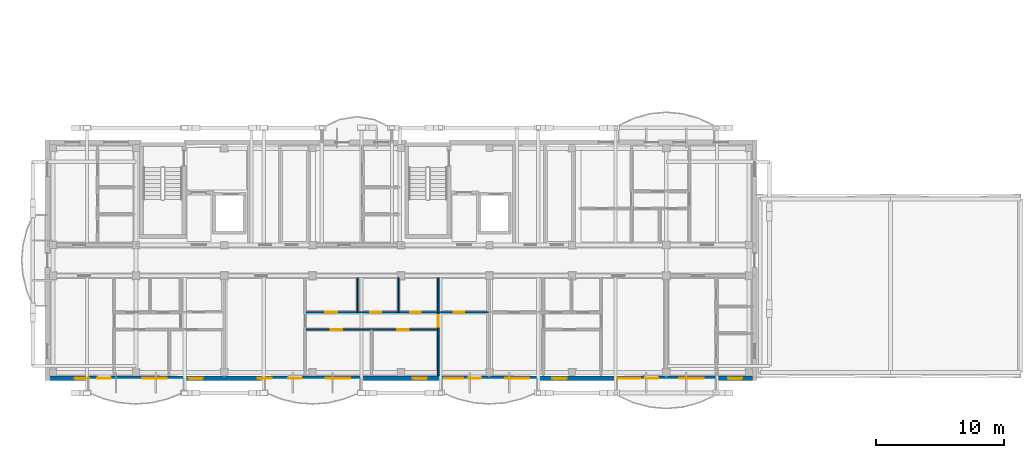
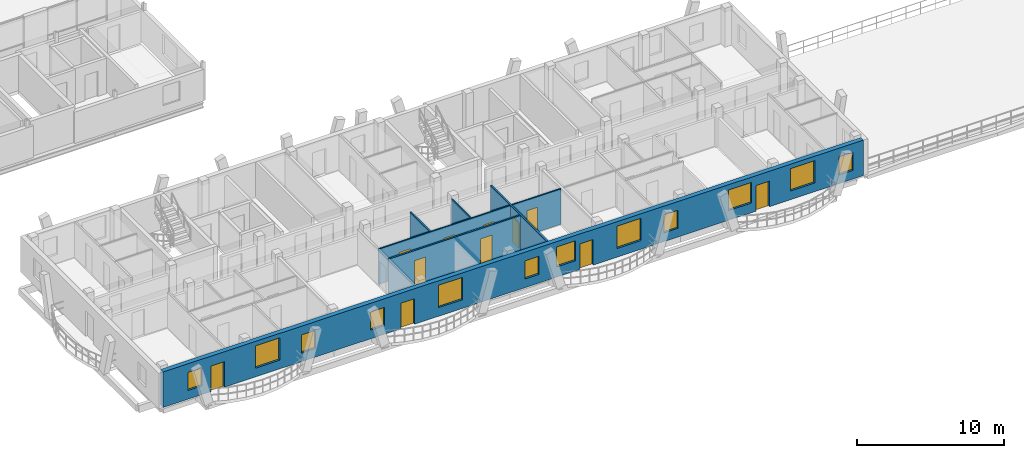
# One storey, part 65 of 109: 12 windows, 11 doors, 6 walls, 23 openings.
"""IFC4 building model written with IfcOpenShell, lengths in metres."""

from ifc_helpers import new_model, si_unit, direction, frame, frame_2d, origin, origin_with_axes, place, context, subcontext, project, spatial, rectangle, extrude, material, layer, layer_set, type_object, element, fill, save


model = new_model("IFC4")

# Units and contexts
model_context = context("Model", 3, precision=1e-05, world=origin(), true_north=direction((0.0, 1.0)))
body_context = subcontext(model_context, "Body", "Model", "MODEL_VIEW")
ifc_project = project(units=[si_unit("LENGTHUNIT", "METRE"), si_unit("AREAUNIT", "SQUARE_METRE"), si_unit("VOLUMEUNIT", "CUBIC_METRE"), si_unit("PLANEANGLEUNIT", "RADIAN"), si_unit("MASSUNIT", "GRAM", prefix="KILO")], contexts=[model_context])

# Site, building, storey
site_placement = place(None, origin())
site = spatial("IfcSite", under=ifc_project, at=site_placement, CompositionType="ELEMENT")
building_placement = place(site_placement, origin())
building = spatial("IfcBuilding", under=site, at=building_placement, Name="Zavelmont Quarter", CompositionType="ELEMENT")
storey_placement = place(building_placement, frame((0.0, 0.0, 8.0)))
storey = spatial("IfcBuildingStorey", under=building, at=storey_placement, Name="L02", CompositionType="ELEMENT", Elevation=8.0)

# Wall, openings, doors, windows
ifc_material_1 = material(Name="Natural Belgian limestone", Category="masonry")
ifc_layer_1 = layer(ifc_material_1, 0.360107421875)
ifc_layer_set_1 = layer_set([ifc_layer_1], Name="Natural Belgian limestone")
wall_type_1 = type_object("IfcWallType", Name="EW02", PredefinedType="STANDARD", material=ifc_layer_set_1)
wall_1_placement = place(storey_placement, frame((0.169921875, 0.0, 0.0), z_axis=(0.0, 0.0, 1.0), x_axis=(1.0, 0.0, 0.0)))
wall_1 = element("IfcWall", 1, at=wall_1_placement, inside=storey, type_object=wall_type_1, Name="L02 exterior limestone wall EW02", PredefinedType="STANDARD", context=body_context, shape_type="SweptSolid", body=[
    extrude(rectangle(XDim=54.860107421875, YDim=0.360107421875, at=frame_2d((27.43017578125, 0.0))), origin(), (0.0, 0.0, 1.0), 2.93994140625),
])
opening_1_placement = place(wall_1_placement, frame((3.73583984375, 0.0, 0.0)))
opening_1 = element("IfcOpeningElement", 2, at=opening_1_placement, cuts=wall_1, Name="Opening DR04A", PredefinedType="OPENING", context=body_context, shape_type="SweptSolid", body=[
    extrude(rectangle(XDim=1.050048828125, YDim=2.1201171875, at=frame_2d((0.52490234375, 1.06005859375))), frame((0.0, 0.19189453125, 0.0), z_axis=(0.0, -1.0, 0.0), x_axis=(1.0, 0.0, 0.0)), (0.0, 0.0, 1.0), 0.384033203125),
])
opening_2_placement = place(wall_1_placement, frame((18.6357421875, 0.0, 0.0)))
opening_2 = element("IfcOpeningElement", 3, at=opening_2_placement, cuts=wall_1, Name="Opening DR04A", PredefinedType="OPENING", context=body_context, shape_type="SweptSolid", body=[
    extrude(rectangle(XDim=1.050048828125, YDim=2.1201171875, at=frame_2d((0.52490234375, 1.06005859375))), frame((0.0, 0.19189453125, 0.0), z_axis=(0.0, -1.0, 0.0), x_axis=(1.0, 0.0, 0.0)), (0.0, 0.0, 1.0), 0.384033203125),
])
opening_3_placement = place(wall_1_placement, frame((32.6357421875, 0.0, 0.0)))
opening_3 = element("IfcOpeningElement", 4, at=opening_3_placement, cuts=wall_1, Name="Opening DR04A", PredefinedType="OPENING", context=body_context, shape_type="SweptSolid", body=[
    extrude(rectangle(XDim=1.050048828125, YDim=2.1201171875, at=frame_2d((0.52490234375, 1.06005859375))), frame((0.0, 0.19189453125, 0.0), z_axis=(0.0, -1.0, 0.0), x_axis=(1.0, 0.0, 0.0)), (0.0, 0.0, 1.0), 0.384033203125),
])
opening_4_placement = place(wall_1_placement, frame((46.44140625, 0.0, 0.0)))
opening_4 = element("IfcOpeningElement", 5, at=opening_4_placement, cuts=wall_1, Name="Opening DR04A", PredefinedType="OPENING", context=body_context, shape_type="SweptSolid", body=[
    extrude(rectangle(XDim=1.050048828125, YDim=2.1201171875, at=frame_2d((0.52490234375, 1.06005859375))), frame((0.0, 0.19189453125, 0.0), z_axis=(0.0, -1.0, 0.0), x_axis=(1.0, 0.0, 0.0)), (0.0, 0.0, 1.0), 0.384033203125),
])
opening_5_placement = place(wall_1_placement, frame((1.949951171875, 0.0, 0.719970703125)))
opening_5 = element("IfcOpeningElement", 6, at=opening_5_placement, cuts=wall_1, Name="Opening WN09", PredefinedType="OPENING", context=body_context, shape_type="SweptSolid", body=[
    extrude(rectangle(XDim=1.10009765625, YDim=1.5, at=frame_2d((0.550048828125, 0.75))), frame((0.0, 0.19189453125, 0.0), z_axis=(0.0, -1.0, 0.0), x_axis=(1.0, 0.0, 0.0)), (0.0, 0.0, 1.0), 0.384033203125),
])
opening_6_placement = place(wall_1_placement, frame((7.232421875, 0.0, 0.719970703125)))
opening_6 = element("IfcOpeningElement", 7, at=opening_6_placement, cuts=wall_1, Name="Opening WN20", PredefinedType="OPENING", context=body_context, shape_type="SweptSolid", body=[
    extrude(rectangle(XDim=1.89990234375, YDim=1.85009765625, at=frame_2d((0.949951171875, 0.925048828125))), frame((0.0, 0.19189453125, 0.0), z_axis=(0.0, -1.0, 0.0), x_axis=(1.0, 0.0, 0.0)), (0.0, 0.0, 1.0), 0.384033203125),
])
opening_7_placement = place(wall_1_placement, frame((10.85009765625, 0.0, 0.719970703125)))
opening_7 = element("IfcOpeningElement", 8, at=opening_7_placement, cuts=wall_1, Name="Opening WN09", PredefinedType="OPENING", context=body_context, shape_type="SweptSolid", body=[
    extrude(rectangle(XDim=1.10009765625, YDim=1.5, at=frame_2d((0.550048828125, 0.75))), frame((0.0, 0.19189453125, 0.0), z_axis=(0.0, -1.0, 0.0), x_axis=(1.0, 0.0, 0.0)), (0.0, 0.0, 1.0), 0.384033203125),
])
opening_8_placement = place(wall_1_placement, frame((16.25, 0.0, 0.719970703125)))
opening_8 = element("IfcOpeningElement", 9, at=opening_8_placement, cuts=wall_1, Name="Opening WN09", PredefinedType="OPENING", context=body_context, shape_type="SweptSolid", body=[
    extrude(rectangle(XDim=1.10009765625, YDim=1.5, at=frame_2d((0.550048828125, 0.75))), frame((0.0, 0.19189453125, 0.0), z_axis=(0.0, -1.0, 0.0), x_axis=(1.0, 0.0, 0.0)), (0.0, 0.0, 1.0), 0.384033203125),
])
opening_9_placement = place(wall_1_placement, frame((21.550048828125, 0.0, 0.719970703125)))
opening_9 = element("IfcOpeningElement", 10, at=opening_9_placement, cuts=wall_1, Name="Opening WN20", PredefinedType="OPENING", context=body_context, shape_type="SweptSolid", body=[
    extrude(rectangle(XDim=1.89990234375, YDim=1.85009765625, at=frame_2d((0.949951171875, 0.925048828125))), frame((0.0, 0.19189453125, 0.0), z_axis=(0.0, -1.0, 0.0), x_axis=(1.0, 0.0, 0.0)), (0.0, 0.0, 1.0), 0.384033203125),
])
opening_10_placement = place(wall_1_placement, frame((28.35009765625, 0.0, 0.719970703125)))
opening_10 = element("IfcOpeningElement", 11, at=opening_10_placement, cuts=wall_1, Name="Opening WN09", PredefinedType="OPENING", context=body_context, shape_type="SweptSolid", body=[
    extrude(rectangle(XDim=1.10009765625, YDim=1.5, at=frame_2d((0.550048828125, 0.75))), frame((0.0, 0.19189453125, 0.0), z_axis=(0.0, -1.0, 0.0), x_axis=(1.0, 0.0, 0.0)), (0.0, 0.0, 1.0), 0.384033203125),
])
opening_11_placement = place(wall_1_placement, frame((30.800048828125, 0.0, 0.85009765625)))
opening_11 = element("IfcOpeningElement", 12, at=opening_11_placement, cuts=wall_1, Name="Opening WN01", PredefinedType="OPENING", context=body_context, shape_type="SweptSolid", body=[
    extrude(rectangle(XDim=1.5, YDim=1.64990234375, at=frame_2d((0.75, 0.824951171875))), frame((0.0, 0.19189453125, 0.0), z_axis=(0.0, -1.0, 0.0), x_axis=(1.0, 0.0, 0.0)), (0.0, 0.0, 1.0), 0.384033203125),
])
opening_12_placement = place(wall_1_placement, frame((35.550048828125, 0.0, 0.719970703125)))
opening_12 = element("IfcOpeningElement", 13, at=opening_12_placement, cuts=wall_1, Name="Opening WN20", PredefinedType="OPENING", context=body_context, shape_type="SweptSolid", body=[
    extrude(rectangle(XDim=1.89990234375, YDim=1.85009765625, at=frame_2d((0.949951171875, 0.925048828125))), frame((0.0, 0.19189453125, 0.0), z_axis=(0.0, -1.0, 0.0), x_axis=(1.0, 0.0, 0.0)), (0.0, 0.0, 1.0), 0.384033203125),
])
opening_13_placement = place(wall_1_placement, frame((39.25, 0.0, 0.719970703125)))
opening_13 = element("IfcOpeningElement", 14, at=opening_13_placement, cuts=wall_1, Name="Opening WN09", PredefinedType="OPENING", context=body_context, shape_type="SweptSolid", body=[
    extrude(rectangle(XDim=1.10009765625, YDim=1.5, at=frame_2d((0.550048828125, 0.75))), frame((0.0, 0.19189453125, 0.0), z_axis=(0.0, -1.0, 0.0), x_axis=(1.0, 0.0, 0.0)), (0.0, 0.0, 1.0), 0.384033203125),
])
opening_14_placement = place(wall_1_placement, frame((44.300048828125, 0.0, 0.800048828125)))
opening_14 = element("IfcOpeningElement", 15, at=opening_14_placement, cuts=wall_1, Name="Opening WN02", PredefinedType="OPENING", context=body_context, shape_type="SweptSolid", body=[
    extrude(rectangle(XDim=1.800048828125, YDim=1.699951171875, at=frame_2d((0.89990234375, 0.85009765625))), frame((0.0, 0.19189453125, 0.0), z_axis=(0.0, -1.0, 0.0), x_axis=(1.0, 0.0, 0.0)), (0.0, 0.0, 1.0), 0.384033203125),
])
opening_15_placement = place(wall_1_placement, frame((49.14990234375, 0.0, 0.719970703125)))
opening_15 = element("IfcOpeningElement", 16, at=opening_15_placement, cuts=wall_1, Name="Opening WN20", PredefinedType="OPENING", context=body_context, shape_type="SweptSolid", body=[
    extrude(rectangle(XDim=1.89990234375, YDim=1.85009765625, at=frame_2d((0.949951171875, 0.925048828125))), frame((0.0, 0.19189453125, 0.0), z_axis=(0.0, -1.0, 0.0), x_axis=(1.0, 0.0, 0.0)), (0.0, 0.0, 1.0), 0.384033203125),
])
opening_16_placement = place(wall_1_placement, frame((52.949951171875, 0.0, 0.719970703125)))
opening_16 = element("IfcOpeningElement", 17, at=opening_16_placement, cuts=wall_1, Name="Opening WN09", PredefinedType="OPENING", context=body_context, shape_type="SweptSolid", body=[
    extrude(rectangle(XDim=1.10009765625, YDim=1.5, at=frame_2d((0.550048828125, 0.75))), frame((0.0, 0.19189453125, 0.0), z_axis=(0.0, -1.0, 0.0), x_axis=(1.0, 0.0, 0.0)), (0.0, 0.0, 1.0), 0.384033203125),
])
ifc_material_2 = material(Name="Thermally broken aluminium and double safety glass", Category="aluminium")
door_type_1 = type_object("IfcDoorType", Name="DR04A", OperationType="NOTDEFINED", PredefinedType="DOOR", material=ifc_material_2)
door_1_placement = place(opening_1_placement, origin_with_axes())
door_1 = element("IfcDoor", 18, at=door_1_placement, inside=storey, type_object=door_type_1, Name="Block A L02 glazed balcony door", OperationType="SINGLE_SWING_RIGHT", OverallHeight=2.1201171875, OverallWidth=1.050048828125, PredefinedType="DOOR", context=body_context, shape_type="SweptSolid", body=[
    extrude(rectangle(XDim=1.050048828125, YDim=2.1201171875, at=frame_2d((0.52490234375, 1.06005859375))), frame((0.0, 0.02490234375, 0.0), z_axis=(0.0, -1.0, 0.0), x_axis=(1.0, 0.0, 0.0)), (0.0, 0.0, 1.0), 0.050048828125),
])
fill(opening_1, door_1)
door_2_placement = place(opening_2_placement, origin_with_axes())
door_2 = element("IfcDoor", 19, at=door_2_placement, inside=storey, type_object=door_type_1, Name="Block A L02 glazed balcony door", OperationType="SINGLE_SWING_RIGHT", OverallHeight=2.1201171875, OverallWidth=1.050048828125, PredefinedType="DOOR", context=body_context, shape_type="SweptSolid", body=[
    extrude(rectangle(XDim=1.050048828125, YDim=2.1201171875, at=frame_2d((0.52490234375, 1.06005859375))), frame((0.0, 0.02490234375, 0.0), z_axis=(0.0, -1.0, 0.0), x_axis=(1.0, 0.0, 0.0)), (0.0, 0.0, 1.0), 0.050048828125),
])
fill(opening_2, door_2)
door_3_placement = place(opening_3_placement, origin_with_axes())
door_3 = element("IfcDoor", 20, at=door_3_placement, inside=storey, type_object=door_type_1, Name="Block A L02 glazed balcony door", OperationType="SINGLE_SWING_RIGHT", OverallHeight=2.1201171875, OverallWidth=1.050048828125, PredefinedType="DOOR", context=body_context, shape_type="SweptSolid", body=[
    extrude(rectangle(XDim=1.050048828125, YDim=2.1201171875, at=frame_2d((0.52490234375, 1.06005859375))), frame((0.0, 0.02490234375, 0.0), z_axis=(0.0, -1.0, 0.0), x_axis=(1.0, 0.0, 0.0)), (0.0, 0.0, 1.0), 0.050048828125),
])
fill(opening_3, door_3)
door_4_placement = place(opening_4_placement, origin_with_axes())
door_4 = element("IfcDoor", 21, at=door_4_placement, inside=storey, type_object=door_type_1, Name="Block A L02 glazed balcony door", OperationType="SINGLE_SWING_RIGHT", OverallHeight=2.1201171875, OverallWidth=1.050048828125, PredefinedType="DOOR", context=body_context, shape_type="SweptSolid", body=[
    extrude(rectangle(XDim=1.050048828125, YDim=2.1201171875, at=frame_2d((0.52490234375, 1.06005859375))), frame((0.0, 0.02490234375, 0.0), z_axis=(0.0, -1.0, 0.0), x_axis=(1.0, 0.0, 0.0)), (0.0, 0.0, 1.0), 0.050048828125),
])
fill(opening_4, door_4)
ifc_material_3 = material(Name="Double low-E insulated glazing in thermally broken aluminium frame", Category="aluminium")
window_type_1 = type_object("IfcWindowType", Name="WN01", PartitioningType="SINGLE_PANEL", PredefinedType="WINDOW", material=ifc_material_3)
window_1_placement = place(opening_11_placement, origin_with_axes())
window_1 = element("IfcWindow", 22, at=window_1_placement, inside=storey, type_object=window_type_1, Name="L02 window WN01", OverallHeight=1.64990234375, OverallWidth=1.5, PartitioningType="SINGLE_PANEL", PredefinedType="WINDOW", context=body_context, shape_type="SweptSolid", body=[
    extrude(rectangle(XDim=1.5, YDim=1.64990234375, at=frame_2d((0.75, 0.824951171875))), frame((0.0, 0.030029296875, 0.0), z_axis=(0.0, -1.0, 0.0), x_axis=(1.0, 0.0, 0.0)), (0.0, 0.0, 1.0), 0.06005859375),
])
fill(opening_11, window_1)
window_type_2 = type_object("IfcWindowType", Name="WN02", PartitioningType="SINGLE_PANEL", PredefinedType="WINDOW", material=ifc_material_3)
window_2_placement = place(opening_14_placement, origin_with_axes())
window_2 = element("IfcWindow", 23, at=window_2_placement, inside=storey, type_object=window_type_2, Name="L02 window WN02", OverallHeight=1.699951171875, OverallWidth=1.800048828125, PartitioningType="SINGLE_PANEL", PredefinedType="WINDOW", context=body_context, shape_type="SweptSolid", body=[
    extrude(rectangle(XDim=1.800048828125, YDim=1.699951171875, at=frame_2d((0.89990234375, 0.85009765625))), frame((0.0, 0.030029296875, 0.0), z_axis=(0.0, -1.0, 0.0), x_axis=(1.0, 0.0, 0.0)), (0.0, 0.0, 1.0), 0.06005859375),
])
fill(opening_14, window_2)
window_type_3 = type_object("IfcWindowType", Name="WN09", PartitioningType="SINGLE_PANEL", PredefinedType="WINDOW", material=ifc_material_3)
window_3_placement = place(opening_5_placement, origin_with_axes())
window_3 = element("IfcWindow", 24, at=window_3_placement, inside=storey, type_object=window_type_3, Name="L02 window WN09", OverallHeight=1.5, OverallWidth=1.10009765625, PartitioningType="SINGLE_PANEL", PredefinedType="WINDOW", context=body_context, shape_type="SweptSolid", body=[
    extrude(rectangle(XDim=1.10009765625, YDim=1.5, at=frame_2d((0.550048828125, 0.75))), frame((0.0, 0.030029296875, 0.0), z_axis=(0.0, -1.0, 0.0), x_axis=(1.0, 0.0, 0.0)), (0.0, 0.0, 1.0), 0.06005859375),
])
fill(opening_5, window_3)
window_4_placement = place(opening_7_placement, origin_with_axes())
window_4 = element("IfcWindow", 25, at=window_4_placement, inside=storey, type_object=window_type_3, Name="L02 window WN09", OverallHeight=1.5, OverallWidth=1.10009765625, PartitioningType="SINGLE_PANEL", PredefinedType="WINDOW", context=body_context, shape_type="SweptSolid", body=[
    extrude(rectangle(XDim=1.10009765625, YDim=1.5, at=frame_2d((0.550048828125, 0.75))), frame((0.0, 0.030029296875, 0.0), z_axis=(0.0, -1.0, 0.0), x_axis=(1.0, 0.0, 0.0)), (0.0, 0.0, 1.0), 0.06005859375),
])
fill(opening_7, window_4)
window_5_placement = place(opening_8_placement, origin_with_axes())
window_5 = element("IfcWindow", 26, at=window_5_placement, inside=storey, type_object=window_type_3, Name="L02 window WN09", OverallHeight=1.5, OverallWidth=1.10009765625, PartitioningType="SINGLE_PANEL", PredefinedType="WINDOW", context=body_context, shape_type="SweptSolid", body=[
    extrude(rectangle(XDim=1.10009765625, YDim=1.5, at=frame_2d((0.550048828125, 0.75))), frame((0.0, 0.030029296875, 0.0), z_axis=(0.0, -1.0, 0.0), x_axis=(1.0, 0.0, 0.0)), (0.0, 0.0, 1.0), 0.06005859375),
])
fill(opening_8, window_5)
window_6_placement = place(opening_10_placement, origin_with_axes())
window_6 = element("IfcWindow", 27, at=window_6_placement, inside=storey, type_object=window_type_3, Name="L02 window WN09", OverallHeight=1.5, OverallWidth=1.10009765625, PartitioningType="SINGLE_PANEL", PredefinedType="WINDOW", context=body_context, shape_type="SweptSolid", body=[
    extrude(rectangle(XDim=1.10009765625, YDim=1.5, at=frame_2d((0.550048828125, 0.75))), frame((0.0, 0.030029296875, 0.0), z_axis=(0.0, -1.0, 0.0), x_axis=(1.0, 0.0, 0.0)), (0.0, 0.0, 1.0), 0.06005859375),
])
fill(opening_10, window_6)
window_7_placement = place(opening_13_placement, origin_with_axes())
window_7 = element("IfcWindow", 28, at=window_7_placement, inside=storey, type_object=window_type_3, Name="L02 window WN09", OverallHeight=1.5, OverallWidth=1.10009765625, PartitioningType="SINGLE_PANEL", PredefinedType="WINDOW", context=body_context, shape_type="SweptSolid", body=[
    extrude(rectangle(XDim=1.10009765625, YDim=1.5, at=frame_2d((0.550048828125, 0.75))), frame((0.0, 0.030029296875, 0.0), z_axis=(0.0, -1.0, 0.0), x_axis=(1.0, 0.0, 0.0)), (0.0, 0.0, 1.0), 0.06005859375),
])
fill(opening_13, window_7)
window_8_placement = place(opening_16_placement, origin_with_axes())
window_8 = element("IfcWindow", 29, at=window_8_placement, inside=storey, type_object=window_type_3, Name="L02 window WN09", OverallHeight=1.5, OverallWidth=1.10009765625, PartitioningType="SINGLE_PANEL", PredefinedType="WINDOW", context=body_context, shape_type="SweptSolid", body=[
    extrude(rectangle(XDim=1.10009765625, YDim=1.5, at=frame_2d((0.550048828125, 0.75))), frame((0.0, 0.030029296875, 0.0), z_axis=(0.0, -1.0, 0.0), x_axis=(1.0, 0.0, 0.0)), (0.0, 0.0, 1.0), 0.06005859375),
])
fill(opening_16, window_8)
window_type_4 = type_object("IfcWindowType", Name="WN20", PartitioningType="SINGLE_PANEL", PredefinedType="WINDOW", material=ifc_material_3)
window_9_placement = place(opening_6_placement, origin_with_axes())
window_9 = element("IfcWindow", 30, at=window_9_placement, inside=storey, type_object=window_type_4, Name="L02 window WN20", OverallHeight=1.85009765625, OverallWidth=1.89990234375, PartitioningType="SINGLE_PANEL", PredefinedType="WINDOW", context=body_context, shape_type="SweptSolid", body=[
    extrude(rectangle(XDim=1.89990234375, YDim=1.85009765625, at=frame_2d((0.949951171875, 0.925048828125))), frame((0.0, 0.030029296875, 0.0), z_axis=(0.0, -1.0, 0.0), x_axis=(1.0, 0.0, 0.0)), (0.0, 0.0, 1.0), 0.06005859375),
])
fill(opening_6, window_9)
window_10_placement = place(opening_9_placement, origin_with_axes())
window_10 = element("IfcWindow", 31, at=window_10_placement, inside=storey, type_object=window_type_4, Name="L02 window WN20", OverallHeight=1.85009765625, OverallWidth=1.89990234375, PartitioningType="SINGLE_PANEL", PredefinedType="WINDOW", context=body_context, shape_type="SweptSolid", body=[
    extrude(rectangle(XDim=1.89990234375, YDim=1.85009765625, at=frame_2d((0.949951171875, 0.925048828125))), frame((0.0, 0.030029296875, 0.0), z_axis=(0.0, -1.0, 0.0), x_axis=(1.0, 0.0, 0.0)), (0.0, 0.0, 1.0), 0.06005859375),
])
fill(opening_9, window_10)
window_11_placement = place(opening_12_placement, origin_with_axes())
window_11 = element("IfcWindow", 32, at=window_11_placement, inside=storey, type_object=window_type_4, Name="L02 window WN20", OverallHeight=1.85009765625, OverallWidth=1.89990234375, PartitioningType="SINGLE_PANEL", PredefinedType="WINDOW", context=body_context, shape_type="SweptSolid", body=[
    extrude(rectangle(XDim=1.89990234375, YDim=1.85009765625, at=frame_2d((0.949951171875, 0.925048828125))), frame((0.0, 0.030029296875, 0.0), z_axis=(0.0, -1.0, 0.0), x_axis=(1.0, 0.0, 0.0)), (0.0, 0.0, 1.0), 0.06005859375),
])
fill(opening_12, window_11)
window_12_placement = place(opening_15_placement, origin_with_axes())
window_12 = element("IfcWindow", 33, at=window_12_placement, inside=storey, type_object=window_type_4, Name="L02 window WN20", OverallHeight=1.85009765625, OverallWidth=1.89990234375, PartitioningType="SINGLE_PANEL", PredefinedType="WINDOW", context=body_context, shape_type="SweptSolid", body=[
    extrude(rectangle(XDim=1.89990234375, YDim=1.85009765625, at=frame_2d((0.949951171875, 0.925048828125))), frame((0.0, 0.030029296875, 0.0), z_axis=(0.0, -1.0, 0.0), x_axis=(1.0, 0.0, 0.0)), (0.0, 0.0, 1.0), 0.06005859375),
])
fill(opening_15, window_12)

# Wall, opening, door
ifc_material_4 = material(Name="Double gypsum board on acoustic steel stud", Category="steel")
ifc_layer_2 = layer(ifc_material_4, 0.125)
ifc_layer_set_2 = layer_set([ifc_layer_2], Name="Double gypsum board on acoustic steel stud")
wall_type_2 = type_object("IfcWallType", Name="IW03", PredefinedType="PARTITIONING", material=ifc_layer_set_2)
wall_2_placement = place(storey_placement, frame((30.5, 7.85009765625, 0.0), z_axis=(0.0, 0.0, 1.0), x_axis=(0.0, -1.0, 0.0)))
wall_2 = element("IfcWall", 34, at=wall_2_placement, inside=storey, type_object=wall_type_2, Name="L02 Partition IW03", PredefinedType="PARTITIONING", context=body_context, shape_type="SweptSolid", body=[
    extrude(rectangle(XDim=7.650146484375, YDim=0.125, at=frame_2d((3.8251953125, 0.0))), origin(), (0.0, 0.0, 1.0), 2.93994140625),
])
opening_17_placement = place(wall_2_placement, frame((2.949951171875, 0.0, 0.0)))
opening_17 = element("IfcOpeningElement", 35, at=opening_17_placement, cuts=wall_2, Name="Opening DR05", PredefinedType="OPENING", context=body_context, shape_type="SweptSolid", body=[
    extrude(rectangle(XDim=0.89990234375, YDim=2.10009765625, at=frame_2d((0.449951171875, 1.050048828125))), frame((0.0, 0.074462890625, 0.0), z_axis=(0.0, -1.0, 0.0), x_axis=(1.0, 0.0, 0.0)), (0.0, 0.0, 1.0), 0.14892578125),
])
ifc_material_5 = material(Name="Engineered oak flush interior door")
door_type_2 = type_object("IfcDoorType", Name="DR05", OperationType="NOTDEFINED", PredefinedType="DOOR", material=ifc_material_5)
door_5_placement = place(opening_17_placement, origin_with_axes())
door_5 = element("IfcDoor", 36, at=door_5_placement, inside=storey, type_object=door_type_2, Name="L02 door DR05", OperationType="SINGLE_SWING_RIGHT", OverallHeight=2.10009765625, OverallWidth=0.89990234375, PredefinedType="DOOR", context=body_context, shape_type="SweptSolid", body=[
    extrude(rectangle(XDim=0.89990234375, YDim=2.10009765625, at=frame_2d((0.449951171875, 1.050048828125))), frame((0.0, 0.02490234375, 0.0), z_axis=(0.0, -1.0, 0.0), x_axis=(1.0, 0.0, 0.0)), (0.0, 0.0, 1.0), 0.050048828125),
])
fill(opening_17, door_5)

# Wall, openings, doors
wall_3_placement = place(storey_placement, frame((20.10009765625, 3.800048828125, 0.0), z_axis=(0.0, 0.0, 1.0), x_axis=(1.0, 0.0, 0.0)))
wall_3 = element("IfcWall", 37, at=wall_3_placement, inside=storey, type_object=wall_type_2, Name="L02 Partition IW03", PredefinedType="PARTITIONING", context=body_context, shape_type="SweptSolid", body=[
    extrude(rectangle(XDim=10.39990234375, YDim=0.125, at=frame_2d((5.199951171875, 0.0))), origin(), (0.0, 0.0, 1.0), 2.93994140625),
])
opening_18_placement = place(wall_3_placement, frame((2.0, 0.0, 0.0)))
opening_18 = element("IfcOpeningElement", 38, at=opening_18_placement, cuts=wall_3, Name="Opening DR05", PredefinedType="OPENING", context=body_context, shape_type="SweptSolid", body=[
    extrude(rectangle(XDim=0.89990234375, YDim=2.10009765625, at=frame_2d((0.449951171875, 1.050048828125))), frame((0.0, 0.074462890625, 0.0), z_axis=(0.0, -1.0, 0.0), x_axis=(1.0, 0.0, 0.0)), (0.0, 0.0, 1.0), 0.14892578125),
])
opening_19_placement = place(wall_3_placement, frame((7.199951171875, 0.0, 0.0)))
opening_19 = element("IfcOpeningElement", 39, at=opening_19_placement, cuts=wall_3, Name="Opening DR05", PredefinedType="OPENING", context=body_context, shape_type="SweptSolid", body=[
    extrude(rectangle(XDim=0.89990234375, YDim=2.10009765625, at=frame_2d((0.449951171875, 1.050048828125))), frame((0.0, 0.074462890625, 0.0), z_axis=(0.0, -1.0, 0.0), x_axis=(1.0, 0.0, 0.0)), (0.0, 0.0, 1.0), 0.14892578125),
])
door_6_placement = place(opening_18_placement, frame((0.89990234375, 0.0, 0.0), z_axis=(0.0, 0.0, 1.0), x_axis=(-1.0, 0.0, 0.0)))
door_6 = element("IfcDoor", 40, at=door_6_placement, inside=storey, type_object=door_type_2, Name="L02 door DR05", OperationType="SINGLE_SWING_LEFT", OverallHeight=2.10009765625, OverallWidth=0.89990234375, PredefinedType="DOOR", context=body_context, shape_type="SweptSolid", body=[
    extrude(rectangle(XDim=0.89990234375, YDim=2.10009765625, at=frame_2d((0.449951171875, 1.050048828125))), frame((0.0, 0.02490234375, 0.0), z_axis=(0.0, -1.0, 0.0), x_axis=(1.0, 0.0, 0.0)), (0.0, 0.0, 1.0), 0.050048828125),
])
fill(opening_18, door_6)
door_7_placement = place(opening_19_placement, origin_with_axes())
door_7 = element("IfcDoor", 41, at=door_7_placement, inside=storey, type_object=door_type_2, Name="L02 door DR05", OperationType="SINGLE_SWING_RIGHT", OverallHeight=2.10009765625, OverallWidth=0.89990234375, PredefinedType="DOOR", context=body_context, shape_type="SweptSolid", body=[
    extrude(rectangle(XDim=0.89990234375, YDim=2.10009765625, at=frame_2d((0.449951171875, 1.050048828125))), frame((0.0, 0.02490234375, 0.0), z_axis=(0.0, -1.0, 0.0), x_axis=(1.0, 0.0, 0.0)), (0.0, 0.0, 1.0), 0.050048828125),
])
fill(opening_19, door_7)

# Walls
ifc_material_6 = material(Name="Moisture-resistant gypsum board on steel stud", Category="steel")
ifc_layer_3 = layer(ifc_material_6, 0.10009765625)
ifc_layer_set_3 = layer_set([ifc_layer_3], Name="Moisture-resistant gypsum board on steel stud")
wall_type_3 = type_object("IfcWallType", Name="IW04", PredefinedType="PARTITIONING", material=ifc_layer_set_3)
for number, where, z_axis, x_axis, name in (
    (42, (24.199951171875, 7.85009765625, 0.0), (0.0, 0.0, 1.0), (0.0, -1.0, 0.0), "L02 Partition IW04"),
    (43, (27.39990234375, 7.85009765625, 0.0), (0.0, 0.0, 1.0), (0.0, -1.0, 0.0), "L02 Partition IW04"),
):
    element("IfcWall", number, at=place(storey_placement, frame(where, z_axis=z_axis, x_axis=x_axis)), inside=storey, type_object=wall_type_3, Name=name, PredefinedType="PARTITIONING", context=body_context, shape_type="SweptSolid", body=[
        extrude(rectangle(XDim=2.7001953125, YDim=0.10009765625, at=frame_2d((1.35009765625, 0.0))), origin(), (0.0, 0.0, 1.0), 2.93994140625),
    ])

# Wall, openings, doors
wall_4_placement = place(storey_placement, frame((20.10009765625, 5.14990234375, 0.0), z_axis=(0.0, 0.0, 1.0), x_axis=(1.0, 0.0, 0.0)))
wall_4 = element("IfcWall", 44, at=wall_4_placement, inside=storey, type_object=wall_type_3, Name="L02 Partition IW04", PredefinedType="PARTITIONING", context=body_context, shape_type="SweptSolid", body=[
    extrude(rectangle(XDim=14.2998046875, YDim=0.10009765625, at=frame_2d((7.14990234375, 0.0))), origin(), (0.0, 0.0, 1.0), 2.93994140625),
])
opening_20_placement = place(wall_4_placement, frame((1.60009765625, 0.0, 0.0)))
opening_20 = element("IfcOpeningElement", 45, at=opening_20_placement, cuts=wall_4, Name="Opening DR05", PredefinedType="OPENING", context=body_context, shape_type="SweptSolid", body=[
    extrude(rectangle(XDim=0.89990234375, YDim=2.10009765625, at=frame_2d((0.449951171875, 1.050048828125))), frame((0.0, 0.06201171875, 0.0), z_axis=(0.0, -1.0, 0.0), x_axis=(1.0, 0.0, 0.0)), (0.0, 0.0, 1.0), 0.1240234375),
])
opening_21_placement = place(wall_4_placement, frame((5.10009765625, 0.0, 0.0)))
opening_21 = element("IfcOpeningElement", 46, at=opening_21_placement, cuts=wall_4, Name="Opening DR06", PredefinedType="OPENING", context=body_context, shape_type="SweptSolid", body=[
    extrude(rectangle(XDim=0.85009765625, YDim=2.050048828125, at=frame_2d((0.425048828125, 1.02490234375))), frame((0.0, 0.06201171875, 0.0), z_axis=(0.0, -1.0, 0.0), x_axis=(1.0, 0.0, 0.0)), (0.0, 0.0, 1.0), 0.1240234375),
])
opening_22_placement = place(wall_4_placement, frame((8.199951171875, 0.0, 0.0)))
opening_22 = element("IfcOpeningElement", 47, at=opening_22_placement, cuts=wall_4, Name="Opening DR06", PredefinedType="OPENING", context=body_context, shape_type="SweptSolid", body=[
    extrude(rectangle(XDim=0.85009765625, YDim=2.050048828125, at=frame_2d((0.425048828125, 1.02490234375))), frame((0.0, 0.06201171875, 0.0), z_axis=(0.0, -1.0, 0.0), x_axis=(1.0, 0.0, 0.0)), (0.0, 0.0, 1.0), 0.1240234375),
])
opening_23_placement = place(wall_4_placement, frame((11.60009765625, 0.0, 0.0)))
opening_23 = element("IfcOpeningElement", 48, at=opening_23_placement, cuts=wall_4, Name="Opening DR06", PredefinedType="OPENING", context=body_context, shape_type="SweptSolid", body=[
    extrude(rectangle(XDim=0.85009765625, YDim=2.050048828125, at=frame_2d((0.425048828125, 1.02490234375))), frame((0.0, 0.06201171875, 0.0), z_axis=(0.0, -1.0, 0.0), x_axis=(1.0, 0.0, 0.0)), (0.0, 0.0, 1.0), 0.1240234375),
])
door_8_placement = place(opening_20_placement, frame((0.89990234375, 0.0, 0.0), z_axis=(0.0, 0.0, 1.0), x_axis=(-1.0, 0.0, 0.0)))
door_8 = element("IfcDoor", 49, at=door_8_placement, inside=storey, type_object=door_type_2, Name="L02 door DR05", OperationType="SINGLE_SWING_LEFT", OverallHeight=2.10009765625, OverallWidth=0.89990234375, PredefinedType="DOOR", context=body_context, shape_type="SweptSolid", body=[
    extrude(rectangle(XDim=0.89990234375, YDim=2.10009765625, at=frame_2d((0.449951171875, 1.050048828125))), frame((0.0, 0.02490234375, 0.0), z_axis=(0.0, -1.0, 0.0), x_axis=(1.0, 0.0, 0.0)), (0.0, 0.0, 1.0), 0.050048828125),
])
fill(opening_20, door_8)
ifc_material_7 = material(Name="Moisture-resistant painted wet-room door")
door_type_3 = type_object("IfcDoorType", Name="DR06", OperationType="NOTDEFINED", PredefinedType="DOOR", material=ifc_material_7)
door_9_placement = place(opening_21_placement, origin_with_axes())
door_9 = element("IfcDoor", 50, at=door_9_placement, inside=storey, type_object=door_type_3, Name="L02 door DR06", OperationType="SINGLE_SWING_RIGHT", OverallHeight=2.050048828125, OverallWidth=0.85009765625, PredefinedType="DOOR", context=body_context, shape_type="SweptSolid", body=[
    extrude(rectangle(XDim=0.85009765625, YDim=2.050048828125, at=frame_2d((0.425048828125, 1.02490234375))), frame((0.0, 0.02490234375, 0.0), z_axis=(0.0, -1.0, 0.0), x_axis=(1.0, 0.0, 0.0)), (0.0, 0.0, 1.0), 0.050048828125),
])
fill(opening_21, door_9)
door_10_placement = place(opening_22_placement, frame((0.85009765625, 0.0, 0.0), z_axis=(0.0, 0.0, 1.0), x_axis=(-1.0, 0.0, 0.0)))
door_10 = element("IfcDoor", 51, at=door_10_placement, inside=storey, type_object=door_type_3, Name="L02 door DR06", OperationType="SINGLE_SWING_LEFT", OverallHeight=2.050048828125, OverallWidth=0.85009765625, PredefinedType="DOOR", context=body_context, shape_type="SweptSolid", body=[
    extrude(rectangle(XDim=0.85009765625, YDim=2.050048828125, at=frame_2d((0.425048828125, 1.02490234375))), frame((0.0, 0.02490234375, 0.0), z_axis=(0.0, -1.0, 0.0), x_axis=(1.0, 0.0, 0.0)), (0.0, 0.0, 1.0), 0.050048828125),
])
fill(opening_22, door_10)
door_11_placement = place(opening_23_placement, origin_with_axes())
door_11 = element("IfcDoor", 52, at=door_11_placement, inside=storey, type_object=door_type_3, Name="L02 door DR06", OperationType="SINGLE_SWING_RIGHT", OverallHeight=2.050048828125, OverallWidth=0.85009765625, PredefinedType="DOOR", context=body_context, shape_type="SweptSolid", body=[
    extrude(rectangle(XDim=0.85009765625, YDim=2.050048828125, at=frame_2d((0.425048828125, 1.02490234375))), frame((0.0, 0.02490234375, 0.0), z_axis=(0.0, -1.0, 0.0), x_axis=(1.0, 0.0, 0.0)), (0.0, 0.0, 1.0), 0.050048828125),
])
fill(opening_23, door_11)

save(model, "model.ifc")
